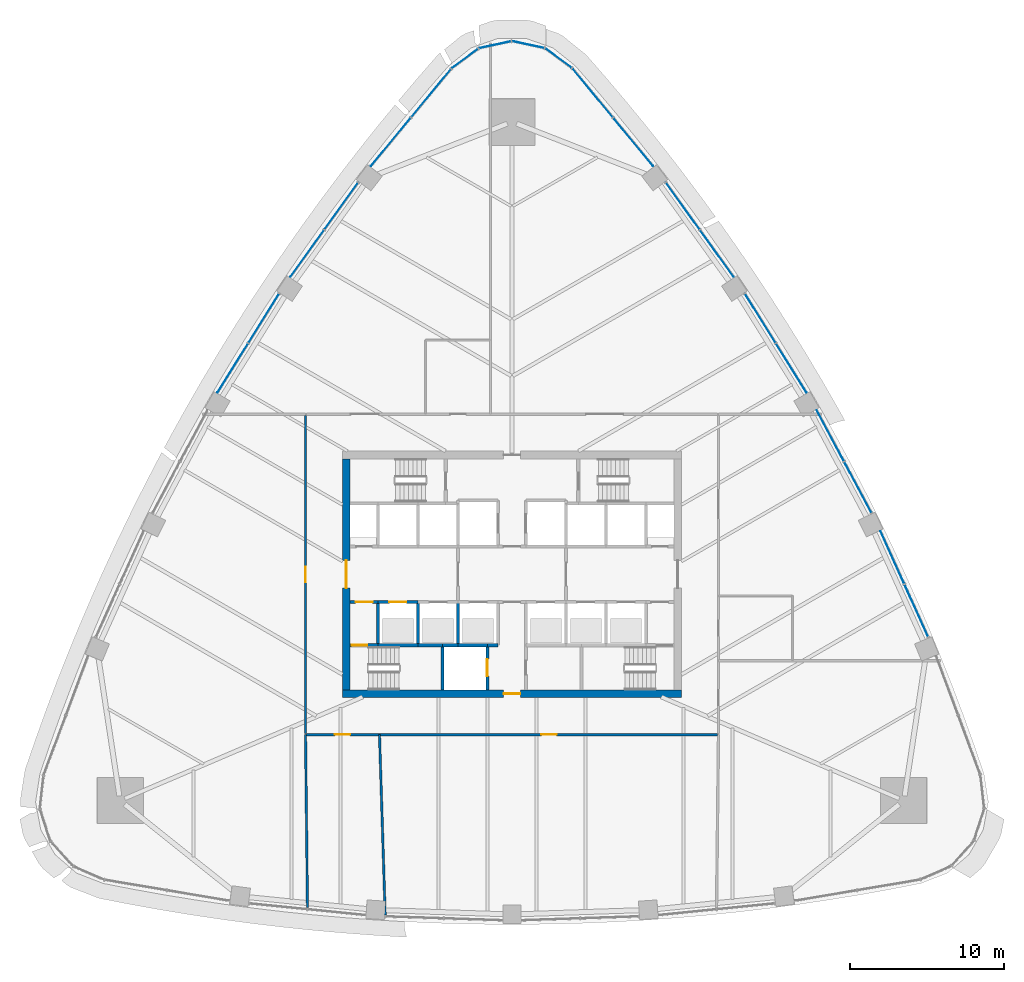
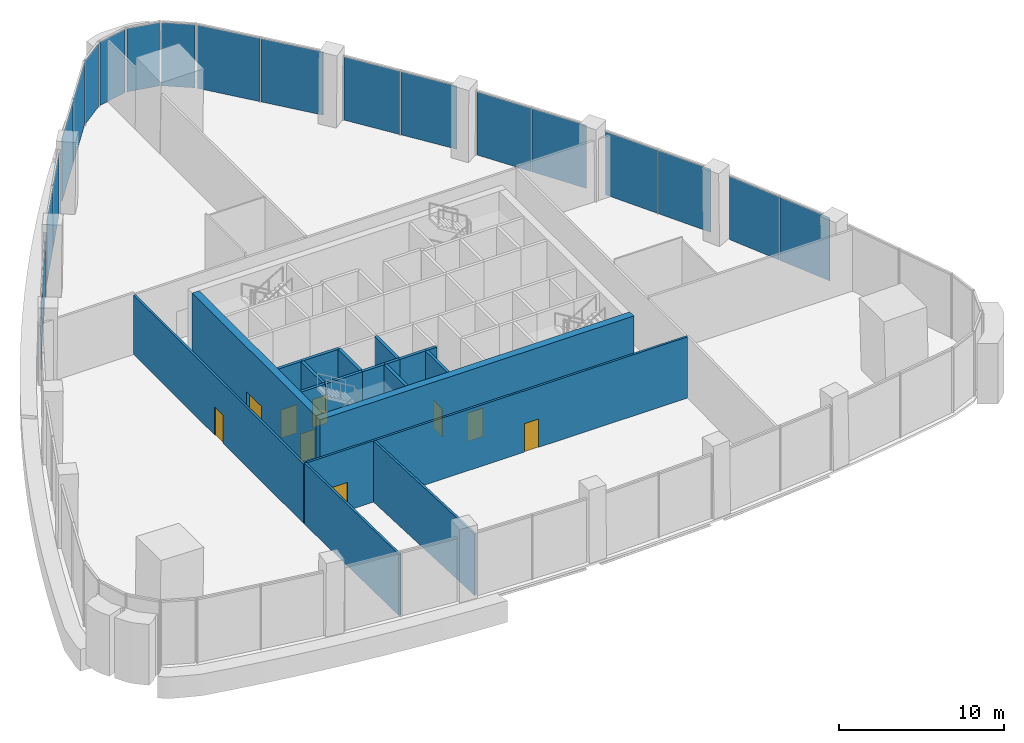
# One storey, part 9 of 16: 20 plates, 19 walls, 9 doors, 9 openings, 12 elements without a shape of their own.
"""IFC4 building model written with IfcOpenShell, lengths in metres."""

from ifc_helpers import new_model, si_unit, direction, frame, frame_2d, origin, origin_2d, place, context, subcontext, project, spatial, rectangle, extrude, material, layer, layer_set, type_object, element, fill, aggregate, save


model = new_model("IFC4")

# Units and contexts
model_context = context("Model", 3, precision=1e-05, world=origin(), true_north=direction((0.0, 1.0)))
body_context = subcontext(model_context, "Body", "Model", "MODEL_VIEW")
ifc_project = project(units=[si_unit("LENGTHUNIT", "METRE"), si_unit("AREAUNIT", "SQUARE_METRE"), si_unit("VOLUMEUNIT", "CUBIC_METRE"), si_unit("PLANEANGLEUNIT", "RADIAN"), si_unit("MASSUNIT", "GRAM", prefix="KILO")], contexts=[model_context])

# Site, building, storey
site_placement = place(None, origin())
site = spatial("IfcSite", under=ifc_project, at=site_placement, CompositionType="ELEMENT")
building_placement = place(site_placement, origin())
building = spatial("IfcBuilding", under=site, at=building_placement, Name="Sierra Prisma Convention Tower", CompositionType="ELEMENT")
storey_placement = place(building_placement, frame((0.0, 0.0, 107.199951171875)))
storey = spatial("IfcBuildingStorey", under=building, at=storey_placement, Name="L23", CompositionType="ELEMENT", Elevation=107.199951171875)

# Curtain wall, plates
ifc_material_1 = material(Name="Aluminium and glass curtain wall", Category="aluminium")
ifc_layer_1 = layer(ifc_material_1, 0.179931640625)
ifc_layer_set_1 = layer_set([ifc_layer_1], Name="CW-1 Plain shaft curtain wall")
curtain_wall_type = type_object("IfcCurtainWallType", Name="CW-1 Plain shaft curtain wall", PredefinedType="NOTDEFINED", material=ifc_layer_set_1)
curtain_wall_1_placement = place(storey_placement, origin())
curtain_wall_1 = element("IfcCurtainWall", 1, at=curtain_wall_1_placement, inside=storey, type_object=curtain_wall_type, Name="CW-1 NE2 L23", PredefinedType="NOTDEFINED")
ifc_material_2 = material(Name="Tinted glass bronze-grey IGU", Category="glass")
ifc_layer_2 = layer(ifc_material_2, 0.028076171875)
ifc_layer_set_2 = layer_set([ifc_layer_2], Name="CW-1 glass panel")
plate_type = type_object("IfcPlateType", Name="CW-1 glass panel", PredefinedType="CURTAIN_PANEL", material=ifc_layer_set_2)
plate_1_placement = place(storey_placement, frame((26.238037109375, -2.3525390625, 0.0), z_axis=(0.0, 0.0, 1.0), x_axis=(-0.411006370634, 0.911632471612, 0.0)))
plate_1 = element("IfcPlate", 2, at=plate_1_placement, type_object=plate_type, Name="CW-1 panel NE2.1", PredefinedType="CURTAIN_PANEL", context=body_context, shape_type="SweptSolid", body=[
    extrude(rectangle(XDim=3.713623046875, YDim=0.028076171875, at=origin_2d()), origin(), (0.0, 0.0, 1.0), 4.679931640625),
])
plate_2_placement = place(storey_placement, frame((24.682861328125, 1.0966796875, 0.0), z_axis=(0.0, 0.0, 1.0), x_axis=(-0.411006370634, 0.911632471612, 0.0)))
plate_2 = element("IfcPlate", 3, at=plate_2_placement, type_object=plate_type, Name="CW-1 panel NE2.2", PredefinedType="CURTAIN_PANEL", context=body_context, shape_type="SweptSolid", body=[
    extrude(rectangle(XDim=3.713623046875, YDim=0.028076171875, at=origin_2d()), origin(), (0.0, 0.0, 1.0), 4.679931640625),
])
aggregate(curtain_wall_1, [plate_1, plate_2])

curtain_wall_2_placement = place(storey_placement, origin())
curtain_wall_2 = element("IfcCurtainWall", 4, at=curtain_wall_2_placement, inside=storey, type_object=curtain_wall_type, Name="CW-1 NE3 L23", PredefinedType="NOTDEFINED")
plate_3_placement = place(storey_placement, frame((22.44482421875, 5.64794921875, 0.0), z_axis=(0.0, 0.0, 1.0), x_axis=(-0.470848003633, 0.882214348939, 0.0)))
plate_3 = element("IfcPlate", 5, at=plate_3_placement, type_object=plate_type, Name="CW-1 panel NE3.1", PredefinedType="CURTAIN_PANEL", context=body_context, shape_type="SweptSolid", body=[
    extrude(rectangle(XDim=3.729736328125, YDim=0.028076171875, at=origin_2d()), origin(), (0.0, 0.0, 1.0), 4.679931640625),
])
plate_4_placement = place(storey_placement, frame((20.655517578125, 9.0, 0.0), z_axis=(0.0, 0.0, 1.0), x_axis=(-0.470848003633, 0.882214348939, 0.0)))
plate_4 = element("IfcPlate", 6, at=plate_4_placement, type_object=plate_type, Name="CW-1 panel NE3.2", PredefinedType="CURTAIN_PANEL", context=body_context, shape_type="SweptSolid", body=[
    extrude(rectangle(XDim=3.729736328125, YDim=0.028076171875, at=origin_2d()), origin(), (0.0, 0.0, 1.0), 4.679931640625),
])
aggregate(curtain_wall_2, [plate_3, plate_4])

curtain_wall_3_placement = place(storey_placement, origin())
curtain_wall_3 = element("IfcCurtainWall", 7, at=curtain_wall_3_placement, inside=storey, type_object=curtain_wall_type, Name="CW-1 NE4 L23", PredefinedType="NOTDEFINED")
plate_5_placement = place(storey_placement, frame((18.1220703125, 13.38818359375, 0.0), z_axis=(0.0, 0.0, 1.0), x_axis=(-0.528596035948, 0.848873506937, 0.0)))
plate_5 = element("IfcPlate", 8, at=plate_5_placement, type_object=plate_type, Name="CW-1 panel NE4.1", PredefinedType="CURTAIN_PANEL", context=body_context, shape_type="SweptSolid", body=[
    extrude(rectangle(XDim=3.72998046875, YDim=0.028076171875, at=origin_2d()), origin(), (0.0, 0.0, 1.0), 4.679931640625),
])
plate_6_placement = place(storey_placement, frame((16.113525390625, 16.614013671875, 0.0), z_axis=(0.0, 0.0, 1.0), x_axis=(-0.528596035948, 0.848873506937, 0.0)))
plate_6 = element("IfcPlate", 9, at=plate_6_placement, type_object=plate_type, Name="CW-1 panel NE4.2", PredefinedType="CURTAIN_PANEL", context=body_context, shape_type="SweptSolid", body=[
    extrude(rectangle(XDim=3.72998046875, YDim=0.028076171875, at=origin_2d()), origin(), (0.0, 0.0, 1.0), 4.679931640625),
])
aggregate(curtain_wall_3, [plate_5, plate_6])

curtain_wall_4_placement = place(storey_placement, origin())
curtain_wall_4 = element("IfcCurtainWall", 10, at=curtain_wall_4_placement, inside=storey, type_object=curtain_wall_type, Name="CW-1 NE5 L23", PredefinedType="NOTDEFINED")
plate_7_placement = place(storey_placement, frame((13.291015625, 20.827880859375, 0.0), z_axis=(0.0, 0.0, 1.0), x_axis=(-0.583993694014, 0.811758193893, 0.0)))
plate_7 = element("IfcPlate", 11, at=plate_7_placement, type_object=plate_type, Name="CW-1 panel NE5.1", PredefinedType="CURTAIN_PANEL", context=body_context, shape_type="SweptSolid", body=[
    extrude(rectangle(XDim=3.714599609375, YDim=0.028076171875, at=origin_2d()), origin(), (0.0, 0.0, 1.0), 4.679931640625),
])
plate_8_placement = place(storey_placement, frame((11.080810546875, 23.89990234375, 0.0), z_axis=(0.0, 0.0, 1.0), x_axis=(-0.583993694014, 0.811758193893, 0.0)))
plate_8 = element("IfcPlate", 12, at=plate_8_placement, type_object=plate_type, Name="CW-1 panel NE5.2", PredefinedType="CURTAIN_PANEL", context=body_context, shape_type="SweptSolid", body=[
    extrude(rectangle(XDim=3.714599609375, YDim=0.028076171875, at=origin_2d()), origin(), (0.0, 0.0, 1.0), 4.679931640625),
])
aggregate(curtain_wall_4, [plate_7, plate_8])

curtain_wall_5_placement = place(storey_placement, origin())
curtain_wall_5 = element("IfcCurtainWall", 13, at=curtain_wall_5_placement, inside=storey, type_object=curtain_wall_type, Name="CW-1 NE6 L23", PredefinedType="NOTDEFINED")
plate_9_placement = place(storey_placement, frame((7.867919921875, 28.059326171875, 0.0), z_axis=(0.0, 0.0, 1.0), x_axis=(-0.636794655069, 0.771033441088, 0.0)))
plate_9 = element("IfcPlate", 14, at=plate_9_placement, type_object=plate_type, Name="CW-1 panel NE6.1", PredefinedType="CURTAIN_PANEL", context=body_context, shape_type="SweptSolid", body=[
    extrude(rectangle(XDim=4.0361328125, YDim=0.028076171875, at=origin_2d()), origin(), (0.0, 0.0, 1.0), 4.679931640625),
])
plate_10_placement = place(storey_placement, frame((5.253173828125, 31.225341796875, 0.0), z_axis=(0.0, 0.0, 1.0), x_axis=(-0.636794655069, 0.771033441088, 0.0)))
plate_10 = element("IfcPlate", 15, at=plate_10_placement, type_object=plate_type, Name="CW-1 panel NE6.2", PredefinedType="CURTAIN_PANEL", context=body_context, shape_type="SweptSolid", body=[
    extrude(rectangle(XDim=4.0361328125, YDim=0.028076171875, at=origin_2d()), origin(), (0.0, 0.0, 1.0), 4.679931640625),
])
aggregate(curtain_wall_5, [plate_9, plate_10])

# Curtain wall, plate
curtain_wall_6_placement = place(storey_placement, origin())
curtain_wall_6 = element("IfcCurtainWall", 16, at=curtain_wall_6_placement, inside=storey, type_object=curtain_wall_type, Name="CW-1 N1 L23", PredefinedType="NOTDEFINED")
plate_11_placement = place(storey_placement, frame((3.03759765625, 33.48828125, 0.0), z_axis=(0.0, 0.0, 1.0), x_axis=(-0.80487200873, 0.593448438841, 0.0)))
plate_11 = element("IfcPlate", 17, at=plate_11_placement, type_object=plate_type, Name="CW-1 panel N1.1", PredefinedType="CURTAIN_PANEL", context=body_context, shape_type="SweptSolid", body=[
    extrude(rectangle(XDim=2.06103515625, YDim=0.028076171875, at=origin_2d()), origin(), (0.0, 0.0, 1.0), 4.679931640625),
])
aggregate(curtain_wall_6, [plate_11])

curtain_wall_7_placement = place(storey_placement, origin())
curtain_wall_7 = element("IfcCurtainWall", 18, at=curtain_wall_7_placement, inside=storey, type_object=curtain_wall_type, Name="CW-1 N2 L23", PredefinedType="NOTDEFINED")
plate_12_placement = place(storey_placement, frame((1.075927734375, 34.372802734375, 0.0), z_axis=(0.0, 0.0, 1.0), x_axis=(-0.977658547657, 0.210199343942, 0.0)))
plate_12 = element("IfcPlate", 19, at=plate_12_placement, type_object=plate_type, Name="CW-1 panel N2.1", PredefinedType="CURTAIN_PANEL", context=body_context, shape_type="SweptSolid", body=[
    extrude(rectangle(XDim=2.06103515625, YDim=0.028076171875, at=origin_2d()), origin(), (0.0, 0.0, 1.0), 4.679931640625),
])
aggregate(curtain_wall_7, [plate_12])

curtain_wall_8_placement = place(storey_placement, origin())
curtain_wall_8 = element("IfcCurtainWall", 20, at=curtain_wall_8_placement, inside=storey, type_object=curtain_wall_type, Name="CW-1 N3 L23", PredefinedType="NOTDEFINED")
plate_13_placement = place(storey_placement, frame((-1.075927734375, 34.372802734375, 0.0), z_axis=(0.0, 0.0, 1.0), x_axis=(-0.977658547657, -0.210199343942, 0.0)))
plate_13 = element("IfcPlate", 21, at=plate_13_placement, type_object=plate_type, Name="CW-1 panel N3.1", PredefinedType="CURTAIN_PANEL", context=body_context, shape_type="SweptSolid", body=[
    extrude(rectangle(XDim=2.06103515625, YDim=0.028076171875, at=origin_2d()), origin(), (0.0, 0.0, 1.0), 4.679931640625),
])
aggregate(curtain_wall_8, [plate_13])

curtain_wall_9_placement = place(storey_placement, origin())
curtain_wall_9 = element("IfcCurtainWall", 22, at=curtain_wall_9_placement, inside=storey, type_object=curtain_wall_type, Name="CW-1 N4 L23", PredefinedType="NOTDEFINED")
plate_14_placement = place(storey_placement, frame((-3.03759765625, 33.48828125, 0.0), z_axis=(0.0, 0.0, 1.0), x_axis=(-0.80487200873, -0.593448438841, 0.0)))
plate_14 = element("IfcPlate", 23, at=plate_14_placement, type_object=plate_type, Name="CW-1 panel N4.1", PredefinedType="CURTAIN_PANEL", context=body_context, shape_type="SweptSolid", body=[
    extrude(rectangle(XDim=2.06103515625, YDim=0.028076171875, at=origin_2d()), origin(), (0.0, 0.0, 1.0), 4.679931640625),
])
aggregate(curtain_wall_9, [plate_14])

# Curtain wall, plates
curtain_wall_10_placement = place(storey_placement, origin())
curtain_wall_10 = element("IfcCurtainWall", 24, at=curtain_wall_10_placement, inside=storey, type_object=curtain_wall_type, Name="CW-1 NW1 L23", PredefinedType="NOTDEFINED")
plate_15_placement = place(storey_placement, frame((-5.253173828125, 31.225341796875, 0.0), z_axis=(0.0, 0.0, 1.0), x_axis=(-0.636794655069, -0.771033441088, 0.0)))
plate_15 = element("IfcPlate", 25, at=plate_15_placement, type_object=plate_type, Name="CW-1 panel NW1.1", PredefinedType="CURTAIN_PANEL", context=body_context, shape_type="SweptSolid", body=[
    extrude(rectangle(XDim=4.0361328125, YDim=0.028076171875, at=origin_2d()), origin(), (0.0, 0.0, 1.0), 4.679931640625),
])
plate_16_placement = place(storey_placement, frame((-7.867919921875, 28.059326171875, 0.0), z_axis=(0.0, 0.0, 1.0), x_axis=(-0.636794655069, -0.771033441088, 0.0)))
plate_16 = element("IfcPlate", 26, at=plate_16_placement, type_object=plate_type, Name="CW-1 panel NW1.2", PredefinedType="CURTAIN_PANEL", context=body_context, shape_type="SweptSolid", body=[
    extrude(rectangle(XDim=4.0361328125, YDim=0.028076171875, at=origin_2d()), origin(), (0.0, 0.0, 1.0), 4.679931640625),
])
aggregate(curtain_wall_10, [plate_15, plate_16])

curtain_wall_11_placement = place(storey_placement, origin())
curtain_wall_11 = element("IfcCurtainWall", 27, at=curtain_wall_11_placement, inside=storey, type_object=curtain_wall_type, Name="CW-1 NW2 L23", PredefinedType="NOTDEFINED")
plate_17_placement = place(storey_placement, frame((-11.081787109375, 23.89892578125, 0.0), z_axis=(0.0, 0.0, 1.0), x_axis=(-0.583993694014, -0.811758193893, 0.0)))
plate_17 = element("IfcPlate", 28, at=plate_17_placement, type_object=plate_type, Name="CW-1 panel NW2.1", PredefinedType="CURTAIN_PANEL", context=body_context, shape_type="SweptSolid", body=[
    extrude(rectangle(XDim=3.713623046875, YDim=0.028076171875, at=origin_2d()), origin(), (0.0, 0.0, 1.0), 4.679931640625),
])
plate_18_placement = place(storey_placement, frame((-13.291259765625, 20.82763671875, 0.0), z_axis=(0.0, 0.0, 1.0), x_axis=(-0.583993694014, -0.811758193893, 0.0)))
plate_18 = element("IfcPlate", 29, at=plate_18_placement, type_object=plate_type, Name="CW-1 panel NW2.2", PredefinedType="CURTAIN_PANEL", context=body_context, shape_type="SweptSolid", body=[
    extrude(rectangle(XDim=3.713623046875, YDim=0.028076171875, at=origin_2d()), origin(), (0.0, 0.0, 1.0), 4.679931640625),
])
aggregate(curtain_wall_11, [plate_17, plate_18])

curtain_wall_12_placement = place(storey_placement, origin())
curtain_wall_12 = element("IfcCurtainWall", 30, at=curtain_wall_12_placement, inside=storey, type_object=curtain_wall_type, Name="CW-1 NW3 L23", PredefinedType="NOTDEFINED")
plate_19_placement = place(storey_placement, frame((-16.113525390625, 16.61376953125, 0.0), z_axis=(0.0, 0.0, 1.0), x_axis=(-0.528596035948, -0.848873506937, 0.0)))
plate_19 = element("IfcPlate", 31, at=plate_19_placement, type_object=plate_type, Name="CW-1 panel NW3.1", PredefinedType="CURTAIN_PANEL", context=body_context, shape_type="SweptSolid", body=[
    extrude(rectangle(XDim=3.729736328125, YDim=0.028076171875, at=origin_2d()), origin(), (0.0, 0.0, 1.0), 4.679931640625),
])
plate_20_placement = place(storey_placement, frame((-18.1220703125, 13.38818359375, 0.0), z_axis=(0.0, 0.0, 1.0), x_axis=(-0.528596035948, -0.848873506937, 0.0)))
plate_20 = element("IfcPlate", 32, at=plate_20_placement, type_object=plate_type, Name="CW-1 panel NW3.2", PredefinedType="CURTAIN_PANEL", context=body_context, shape_type="SweptSolid", body=[
    extrude(rectangle(XDim=3.729736328125, YDim=0.028076171875, at=origin_2d()), origin(), (0.0, 0.0, 1.0), 4.679931640625),
])
aggregate(curtain_wall_12, [plate_19, plate_20])

# Wall, opening, door
ifc_material_3 = material(Name="Concrete C30/37", Category="concrete")
ifc_layer_3 = layer(ifc_material_3, 0.199951171875)
ifc_layer_set_3 = layer_set([ifc_layer_3], Name="Core wall RC 200 C30/37")
wall_type_1 = type_object("IfcWallType", Name="Core wall RC 200 C30/37", PredefinedType="SOLIDWALL", material=ifc_layer_set_3)
wall_1_placement = place(storey_placement, frame((-10.5, -4.60009765625, 0.0), z_axis=(0.0, 0.0, 1.0), x_axis=(1.0, 0.0, 0.0)))
wall_1 = element("IfcWall", 33, at=wall_1_placement, inside=storey, type_object=wall_type_1, Name="Core wall L23 1", PredefinedType="SOLIDWALL", context=body_context, shape_type="SweptSolid", body=[
    extrude(rectangle(XDim=1.800048828125, YDim=0.199951171875, at=frame_2d((0.89990234375, 0.0))), origin(), (0.0, 0.0, 1.0), 5.25),
])
opening_1_placement = place(wall_1_placement, frame((0.10009765625, 0.0, 0.0)))
opening_1 = element("IfcOpeningElement", 34, at=opening_1_placement, cuts=wall_1, Name="Opening L23-D018", PredefinedType="OPENING", context=body_context, shape_type="SweptSolid", body=[
    extrude(rectangle(XDim=1.0, YDim=2.10009765625, at=frame_2d((0.5, 1.050048828125))), frame((0.0, 0.10009765625, 0.0), z_axis=(0.0, -1.0, 0.0), x_axis=(1.0, 0.0, 0.0)), (0.0, 0.0, 1.0), 0.199951171875),
])
ifc_material_4 = material(Name="Steel fire door leaf", Category="steel")
door_type_1 = type_object("IfcDoorType", Name="Door 1000x2100 FD90S", OperationType="SINGLE_SWING_LEFT", PredefinedType="DOOR", material=ifc_material_4)
door_1_placement = place(opening_1_placement, origin())
door_1 = element("IfcDoor", 35, at=door_1_placement, inside=storey, type_object=door_type_1, Name="Door L23 27", OperationType="SINGLE_SWING_LEFT", OverallHeight=2.10009765625, OverallWidth=1.0, PredefinedType="DOOR", context=body_context, shape_type="SweptSolid", body=[
    extrude(rectangle(XDim=1.0, YDim=2.10009765625, at=frame_2d((0.5, 1.050048828125))), frame((0.0, 0.02490234375, 0.0), z_axis=(0.0, -1.0, 0.0), x_axis=(1.0, 0.0, 0.0)), (0.0, 0.0, 1.0), 0.050048828125),
])
fill(opening_1, door_1)

wall_2_placement = place(storey_placement, frame((-10.5, -1.800048828125, 0.0), z_axis=(0.0, 0.0, 1.0), x_axis=(1.0, 0.0, 0.0)))
wall_2 = element("IfcWall", 36, at=wall_2_placement, inside=storey, type_object=wall_type_1, Name="Core wall L23 2", PredefinedType="SOLIDWALL", context=body_context, shape_type="SweptSolid", body=[
    extrude(rectangle(XDim=1.800048828125, YDim=0.199951171875, at=frame_2d((0.89990234375, 0.0))), origin(), (0.0, 0.0, 1.0), 5.25),
])
opening_2_placement = place(wall_2_placement, frame((0.35009765625, 0.0, 0.0)))
opening_2 = element("IfcOpeningElement", 37, at=opening_2_placement, cuts=wall_2, Name="Opening L23-D012", PredefinedType="OPENING", context=body_context, shape_type="SweptSolid", body=[
    extrude(rectangle(XDim=1.10009765625, YDim=2.10009765625, at=frame_2d((0.550048828125, 1.050048828125))), frame((0.0, 0.10009765625, 0.0), z_axis=(0.0, -1.0, 0.0), x_axis=(1.0, 0.0, 0.0)), (0.0, 0.0, 1.0), 0.199951171875),
])
ifc_material_5 = material(Name="Steel fire door leaf", Category="steel")
door_type_2 = type_object("IfcDoorType", Name="Door 1100x2100 FD90S", OperationType="SINGLE_SWING_LEFT", PredefinedType="DOOR", material=ifc_material_5)
door_2_placement = place(opening_2_placement, origin())
door_2 = element("IfcDoor", 38, at=door_2_placement, inside=storey, type_object=door_type_2, Name="Door L23 21", OperationType="SINGLE_SWING_LEFT", OverallHeight=2.10009765625, OverallWidth=1.10009765625, PredefinedType="DOOR", context=body_context, shape_type="SweptSolid", body=[
    extrude(rectangle(XDim=1.10009765625, YDim=2.10009765625, at=frame_2d((0.550048828125, 1.050048828125))), frame((0.0, 0.02490234375, 0.0), z_axis=(0.0, -1.0, 0.0), x_axis=(1.0, 0.0, 0.0)), (0.0, 0.0, 1.0), 0.050048828125),
])
fill(opening_2, door_2)

# Walls
wall_3_placement = place(storey_placement, frame((-8.699951171875, -4.60009765625, 0.0), z_axis=(0.0, 0.0, 1.0), x_axis=(1.0, 0.0, 0.0)))
element("IfcWall", 39, at=wall_3_placement, inside=storey, type_object=wall_type_1, Name="Core wall L23 5", PredefinedType="SOLIDWALL", context=body_context, shape_type="SweptSolid", body=[
    extrude(rectangle(XDim=2.599853515625, YDim=0.199951171875, at=frame_2d((1.2998046875, 0.0))), origin(), (0.0, 0.0, 1.0), 5.25),
])
wall_4_placement = place(storey_placement, frame((-8.699951171875, -4.60009765625, 0.0), z_axis=(0.0, 0.0, 1.0), x_axis=(0.0, 1.0, 0.0)))
element("IfcWall", 40, at=wall_4_placement, inside=storey, type_object=wall_type_1, Name="Core wall L23 6", PredefinedType="SOLIDWALL", context=body_context, shape_type="SweptSolid", body=[
    extrude(rectangle(XDim=2.800048828125, YDim=0.199951171875, at=frame_2d((1.39990234375, 0.0))), origin(), (0.0, 0.0, 1.0), 5.25),
])

# Wall, opening, door
wall_5_placement = place(storey_placement, frame((-8.699951171875, -1.800048828125, 0.0), z_axis=(0.0, 0.0, 1.0), x_axis=(1.0, 0.0, 0.0)))
wall_5 = element("IfcWall", 41, at=wall_5_placement, inside=storey, type_object=wall_type_1, Name="Core wall L23 7", PredefinedType="SOLIDWALL", context=body_context, shape_type="SweptSolid", body=[
    extrude(rectangle(XDim=2.599853515625, YDim=0.199951171875, at=frame_2d((1.2998046875, 0.0))), origin(), (0.0, 0.0, 1.0), 5.25),
])
opening_3_placement = place(wall_5_placement, frame((0.75, 0.0, 0.0)))
opening_3 = element("IfcOpeningElement", 42, at=opening_3_placement, cuts=wall_5, Name="Opening L23-D001", PredefinedType="OPENING", context=body_context, shape_type="SweptSolid", body=[
    extrude(rectangle(XDim=1.10009765625, YDim=2.10009765625, at=frame_2d((0.550048828125, 1.050048828125))), frame((0.0, 0.10009765625, 0.0), z_axis=(0.0, -1.0, 0.0), x_axis=(1.0, 0.0, 0.0)), (0.0, 0.0, 1.0), 0.199951171875),
])
ifc_material_6 = material(Name="Steel fire door leaf", Category="steel")
door_type_3 = type_object("IfcDoorType", Name="Door 1100x2100 EI 90 sliding lift landing", OperationType="SLIDING_TO_LEFT", PredefinedType="DOOR", material=ifc_material_6)
door_3_placement = place(opening_3_placement, origin())
door_3 = element("IfcDoor", 43, at=door_3_placement, inside=storey, type_object=door_type_3, Name="Door L23 10", OperationType="SLIDING_TO_LEFT", OverallHeight=2.10009765625, OverallWidth=1.10009765625, PredefinedType="DOOR", context=body_context, shape_type="SweptSolid", body=[
    extrude(rectangle(XDim=1.10009765625, YDim=2.10009765625, at=frame_2d((0.550048828125, 1.050048828125))), frame((0.0, 0.02490234375, 0.0), z_axis=(0.0, -1.0, 0.0), x_axis=(1.0, 0.0, 0.0)), (0.0, 0.0, 1.0), 0.050048828125),
])
fill(opening_3, door_3)

# Walls
wall_6_placement = place(storey_placement, frame((-6.10009765625, -4.60009765625, 0.0), z_axis=(0.0, 0.0, 1.0), x_axis=(1.0, 0.0, 0.0)))
element("IfcWall", 44, at=wall_6_placement, inside=storey, type_object=wall_type_1, Name="Core wall L23 11", PredefinedType="SOLIDWALL", context=body_context, shape_type="SweptSolid", body=[
    extrude(rectangle(XDim=1.60009765625, YDim=0.199951171875, at=frame_2d((0.800048828125, 0.0))), origin(), (0.0, 0.0, 1.0), 5.25),
])
wall_7_placement = place(storey_placement, frame((-6.10009765625, -4.60009765625, 0.0), z_axis=(0.0, 0.0, 1.0), x_axis=(0.0, 1.0, 0.0)))
element("IfcWall", 45, at=wall_7_placement, inside=storey, type_object=wall_type_1, Name="Core wall L23 12", PredefinedType="SOLIDWALL", context=body_context, shape_type="SweptSolid", body=[
    extrude(rectangle(XDim=2.800048828125, YDim=0.199951171875, at=frame_2d((1.39990234375, 0.0))), origin(), (0.0, 0.0, 1.0), 5.25),
])
wall_8_placement = place(storey_placement, frame((-4.5, -4.60009765625, 0.0), z_axis=(0.0, 0.0, 1.0), x_axis=(0.0, -1.0, 0.0)))
element("IfcWall", 46, at=wall_8_placement, inside=storey, type_object=wall_type_1, Name="Core wall L23 17", PredefinedType="SOLIDWALL", context=body_context, shape_type="SweptSolid", body=[
    extrude(rectangle(XDim=2.89990234375, YDim=0.199951171875, at=frame_2d((1.449951171875, 0.0))), origin(), (0.0, 0.0, 1.0), 5.25),
])
wall_9_placement = place(storey_placement, frame((-4.5, -4.60009765625, 0.0), z_axis=(0.0, 0.0, 1.0), x_axis=(1.0, 0.0, 0.0)))
element("IfcWall", 47, at=wall_9_placement, inside=storey, type_object=wall_type_1, Name="Core wall L23 18", PredefinedType="SOLIDWALL", context=body_context, shape_type="SweptSolid", body=[
    extrude(rectangle(XDim=1.0, YDim=0.199951171875, at=frame_2d((0.5, 0.0))), origin(), (0.0, 0.0, 1.0), 5.25),
])
wall_10_placement = place(storey_placement, frame((-3.5, -4.60009765625, 0.0), z_axis=(0.0, 0.0, 1.0), x_axis=(1.0, 0.0, 0.0)))
element("IfcWall", 48, at=wall_10_placement, inside=storey, type_object=wall_type_1, Name="Core wall L23 21", PredefinedType="SOLIDWALL", context=body_context, shape_type="SweptSolid", body=[
    extrude(rectangle(XDim=1.89990234375, YDim=0.199951171875, at=frame_2d((0.949951171875, 0.0))), origin(), (0.0, 0.0, 1.0), 5.25),
])
wall_11_placement = place(storey_placement, frame((-3.5, -4.60009765625, 0.0), z_axis=(0.0, 0.0, 1.0), x_axis=(0.0, 1.0, 0.0)))
element("IfcWall", 49, at=wall_11_placement, inside=storey, type_object=wall_type_1, Name="Core wall L23 22", PredefinedType="SOLIDWALL", context=body_context, shape_type="SweptSolid", body=[
    extrude(rectangle(XDim=2.800048828125, YDim=0.199951171875, at=frame_2d((1.39990234375, 0.0))), origin(), (0.0, 0.0, 1.0), 5.25),
])

# Wall, opening, door
wall_12_placement = place(storey_placement, frame((-1.60009765625, -7.5, 0.0), z_axis=(0.0, 0.0, 1.0), x_axis=(0.0, 1.0, 0.0)))
wall_12 = element("IfcWall", 50, at=wall_12_placement, inside=storey, type_object=wall_type_1, Name="Core wall L23 30", PredefinedType="SOLIDWALL", context=body_context, shape_type="SweptSolid", body=[
    extrude(rectangle(XDim=2.89990234375, YDim=0.199951171875, at=frame_2d((1.449951171875, 0.0))), origin(), (0.0, 0.0, 1.0), 5.25),
])
opening_4_placement = place(wall_12_placement, frame((0.89990234375, 0.0, 0.0)))
opening_4 = element("IfcOpeningElement", 51, at=opening_4_placement, cuts=wall_12, Name="Opening L23-D009", PredefinedType="OPENING", context=body_context, shape_type="SweptSolid", body=[
    extrude(rectangle(XDim=1.10009765625, YDim=2.10009765625, at=frame_2d((0.550048828125, 1.050048828125))), frame((0.0, 0.10009765625, 0.0), z_axis=(0.0, -1.0, 0.0), x_axis=(1.0, 0.0, 0.0)), (0.0, 0.0, 1.0), 0.199951171875),
])
door_4_placement = place(opening_4_placement, origin())
door_4 = element("IfcDoor", 52, at=door_4_placement, inside=storey, type_object=door_type_3, Name="Door L23 18", OperationType="SLIDING_TO_RIGHT", OverallHeight=2.10009765625, OverallWidth=1.10009765625, PredefinedType="DOOR", context=body_context, shape_type="SweptSolid", body=[
    extrude(rectangle(XDim=1.10009765625, YDim=2.10009765625, at=frame_2d((0.550048828125, 1.050048828125))), frame((0.0, 0.02490234375, 0.0), z_axis=(0.0, -1.0, 0.0), x_axis=(1.0, 0.0, 0.0)), (0.0, 0.0, 1.0), 0.050048828125),
])
fill(opening_4, door_4)

# Wall
wall_13_placement = place(storey_placement, frame((-1.60009765625, -4.60009765625, 0.0), z_axis=(0.0, 0.0, 1.0), x_axis=(1.0, 0.0, 0.0)))
element("IfcWall", 53, at=wall_13_placement, inside=storey, type_object=wall_type_1, Name="Core wall L23 31", PredefinedType="SOLIDWALL", context=body_context, shape_type="SweptSolid", body=[
    extrude(rectangle(XDim=0.7001953125, YDim=0.199951171875, at=frame_2d((0.35009765625, 0.0))), origin(), (0.0, 0.0, 1.0), 5.25),
])

# Wall, opening, door
ifc_material_7 = material(Name="Concrete C60/75", Category="concrete")
ifc_layer_4 = layer(ifc_material_7, 0.5)
ifc_layer_set_4 = layer_set([ifc_layer_4], Name="Core wall RC 500 C60/75")
wall_type_2 = type_object("IfcWallType", Name="Core wall RC 500 C60/75", PredefinedType="SHEAR", material=ifc_layer_set_4)
wall_14_placement = place(storey_placement, frame((-11.0, -7.75, 0.0), z_axis=(0.0, 0.0, 1.0), x_axis=(1.0, 0.0, 0.0)))
wall_14 = element("IfcWall", 54, at=wall_14_placement, inside=storey, type_object=wall_type_2, Name="Core wall S L23", PredefinedType="SHEAR", context=body_context, shape_type="SweptSolid", body=[
    extrude(rectangle(XDim=22.0, YDim=0.5, at=frame_2d((11.0, 0.0))), origin(), (0.0, 0.0, 1.0), 5.400146484375),
])
opening_5_placement = place(wall_14_placement, frame((10.449951171875, 0.0, 0.0)))
opening_5 = element("IfcOpeningElement", 55, at=opening_5_placement, cuts=wall_14, Name="Opening L23-D034", PredefinedType="OPENING", context=body_context, shape_type="SweptSolid", body=[
    extrude(rectangle(XDim=1.10009765625, YDim=2.10009765625, at=frame_2d((0.550048828125, 1.050048828125))), frame((0.0, 0.25, 0.0), z_axis=(0.0, -1.0, 0.0), x_axis=(1.0, 0.0, 0.0)), (0.0, 0.0, 1.0), 0.5),
])
ifc_material_8 = material(Name="Steel fire door leaf", Category="steel")
door_type_4 = type_object("IfcDoorType", Name="Door 1100x2100 FD30S", OperationType="SINGLE_SWING_LEFT", PredefinedType="DOOR", material=ifc_material_8)
door_5_placement = place(opening_5_placement, origin())
door_5 = element("IfcDoor", 56, at=door_5_placement, inside=storey, type_object=door_type_4, Name="Door L23 35", OperationType="SINGLE_SWING_RIGHT", OverallHeight=2.10009765625, OverallWidth=1.10009765625, PredefinedType="DOOR", context=body_context, shape_type="SweptSolid", body=[
    extrude(rectangle(XDim=1.10009765625, YDim=2.10009765625, at=frame_2d((0.550048828125, 1.050048828125))), frame((0.0, 0.02490234375, 0.0), z_axis=(0.0, -1.0, 0.0), x_axis=(1.0, 0.0, 0.0)), (0.0, 0.0, 1.0), 0.050048828125),
])
fill(opening_5, door_5)

wall_15_placement = place(storey_placement, frame((-10.75, -7.5, 0.0), z_axis=(0.0, 0.0, 1.0), x_axis=(0.0, 1.0, 0.0)))
wall_15 = element("IfcWall", 57, at=wall_15_placement, inside=storey, type_object=wall_type_2, Name="Core wall W L23", PredefinedType="SHEAR", context=body_context, shape_type="SweptSolid", body=[
    extrude(rectangle(XDim=15.0, YDim=0.5, at=frame_2d((7.5, 0.0))), origin(), (0.0, 0.0, 1.0), 5.400146484375),
])
opening_6_placement = place(wall_15_placement, frame((6.60009765625, 0.0, 0.0)))
opening_6 = element("IfcOpeningElement", 58, at=opening_6_placement, cuts=wall_15, Name="Opening L23-D035", PredefinedType="OPENING", context=body_context, shape_type="SweptSolid", body=[
    extrude(rectangle(XDim=1.800048828125, YDim=2.10009765625, at=frame_2d((0.89990234375, 1.050048828125))), frame((0.0, 0.25, 0.0), z_axis=(0.0, -1.0, 0.0), x_axis=(1.0, 0.0, 0.0)), (0.0, 0.0, 1.0), 0.5),
])
ifc_material_9 = material(Name="Steel fire door leaf", Category="steel")
door_type_5 = type_object("IfcDoorType", Name="Door 1800x2100 FD60S", OperationType="DOUBLE_DOOR_SINGLE_SWING", PredefinedType="DOOR", material=ifc_material_9)
door_6_placement = place(opening_6_placement, origin())
door_6 = element("IfcDoor", 59, at=door_6_placement, inside=storey, type_object=door_type_5, Name="Door L23 32", OperationType="DOUBLE_DOOR_SINGLE_SWING", OverallHeight=2.10009765625, OverallWidth=1.800048828125, PredefinedType="DOOR", context=body_context, shape_type="SweptSolid", body=[
    extrude(rectangle(XDim=1.800048828125, YDim=2.10009765625, at=frame_2d((0.89990234375, 1.050048828125))), frame((0.0, 0.02490234375, 0.0), z_axis=(0.0, -1.0, 0.0), x_axis=(1.0, 0.0, 0.0)), (0.0, 0.0, 1.0), 0.050048828125),
])
fill(opening_6, door_6)

ifc_material_10 = material(Name="Gypsum board partition", Category="gypsum")
ifc_layer_5 = layer(ifc_material_10, 0.14990234375)
ifc_layer_set_5 = layer_set([ifc_layer_5], Name="Corridor wall 150 gypsum EI 60")
wall_type_3 = type_object("IfcWallType", Name="Corridor wall 150 gypsum EI 60", PredefinedType="PARTITIONING", material=ifc_layer_set_5)
wall_16_placement = place(storey_placement, frame((-13.39990234375, 10.320068359375, 0.0), z_axis=(0.0, 0.0, 1.0), x_axis=(0.0, -1.0, 0.0)))
wall_16 = element("IfcWall", 60, at=wall_16_placement, inside=storey, type_object=wall_type_3, Name="Partition L23 corr 1", PredefinedType="PARTITIONING", context=body_context, shape_type="SweptSolid", body=[
    extrude(rectangle(XDim=20.64013671875, YDim=0.14990234375, at=frame_2d((10.320068359375, 0.0))), origin(), (0.0, 0.0, 1.0), 4.39697265625),
])
opening_7_placement = place(wall_16_placement, frame((9.830078125, 0.0, 0.0)))
opening_7 = element("IfcOpeningElement", 61, at=opening_7_placement, cuts=wall_16, Name="Opening L23-D028", PredefinedType="OPENING", context=body_context, shape_type="SweptSolid", body=[
    extrude(rectangle(XDim=1.0, YDim=2.10009765625, at=frame_2d((0.5, 1.050048828125))), frame((0.0, 0.074951171875, 0.0), z_axis=(0.0, -1.0, 0.0), x_axis=(1.0, 0.0, 0.0)), (0.0, 0.0, 1.0), 0.14990234375),
])
ifc_material_11 = material(Name="Steel fire door leaf", Category="steel")
door_type_6 = type_object("IfcDoorType", Name="Door 1000x2100 FD30S", OperationType="SINGLE_SWING_LEFT", PredefinedType="DOOR", material=ifc_material_11)
door_7_placement = place(opening_7_placement, origin())
door_7 = element("IfcDoor", 62, at=door_7_placement, inside=storey, type_object=door_type_6, Name="Door L23 6", OperationType="SINGLE_SWING_RIGHT", OverallHeight=2.10009765625, OverallWidth=1.0, PredefinedType="DOOR", context=body_context, shape_type="SweptSolid", body=[
    extrude(rectangle(XDim=1.0, YDim=2.10009765625, at=frame_2d((0.5, 1.050048828125))), frame((0.0, 0.02490234375, 0.0), z_axis=(0.0, -1.0, 0.0), x_axis=(1.0, 0.0, 0.0)), (0.0, 0.0, 1.0), 0.050048828125),
])
fill(opening_7, door_7)

# Wall, openings, doors
wall_17_placement = place(storey_placement, frame((-13.320068359375, -10.39990234375, 0.0), z_axis=(0.0, 0.0, 1.0), x_axis=(1.0, 0.0, 0.0)))
wall_17 = element("IfcWall", 63, at=wall_17_placement, inside=storey, type_object=wall_type_3, Name="Partition L23 corr 2", PredefinedType="PARTITIONING", context=body_context, shape_type="SweptSolid", body=[
    extrude(rectangle(XDim=26.64013671875, YDim=0.14990234375, at=frame_2d((13.320068359375, 0.0))), origin(), (0.0, 0.0, 1.0), 4.5380859375),
])
opening_8_placement = place(wall_17_placement, frame((1.820068359375, 0.0, 0.0)))
opening_8 = element("IfcOpeningElement", 64, at=opening_8_placement, cuts=wall_17, Name="Opening L23-D029", PredefinedType="OPENING", context=body_context, shape_type="SweptSolid", body=[
    extrude(rectangle(XDim=1.0, YDim=2.10009765625, at=frame_2d((0.5, 1.050048828125))), frame((0.0, 0.074951171875, 0.0), z_axis=(0.0, -1.0, 0.0), x_axis=(1.0, 0.0, 0.0)), (0.0, 0.0, 1.0), 0.14990234375),
])
opening_9_placement = place(wall_17_placement, frame((15.219970703125, 0.0, 0.0)))
opening_9 = element("IfcOpeningElement", 65, at=opening_9_placement, cuts=wall_17, Name="Opening L23-D030", PredefinedType="OPENING", context=body_context, shape_type="SweptSolid", body=[
    extrude(rectangle(XDim=1.0, YDim=2.10009765625, at=frame_2d((0.5, 1.050048828125))), frame((0.0, 0.074951171875, 0.0), z_axis=(0.0, -1.0, 0.0), x_axis=(1.0, 0.0, 0.0)), (0.0, 0.0, 1.0), 0.14990234375),
])
door_8_placement = place(opening_8_placement, origin())
door_8 = element("IfcDoor", 66, at=door_8_placement, inside=storey, type_object=door_type_6, Name="Door L23 7", OperationType="SINGLE_SWING_LEFT", OverallHeight=2.10009765625, OverallWidth=1.0, PredefinedType="DOOR", context=body_context, shape_type="SweptSolid", body=[
    extrude(rectangle(XDim=1.0, YDim=2.10009765625, at=frame_2d((0.5, 1.050048828125))), frame((0.0, 0.02490234375, 0.0), z_axis=(0.0, -1.0, 0.0), x_axis=(1.0, 0.0, 0.0)), (0.0, 0.0, 1.0), 0.050048828125),
])
fill(opening_8, door_8)
door_9_placement = place(opening_9_placement, origin())
door_9 = element("IfcDoor", 67, at=door_9_placement, inside=storey, type_object=door_type_6, Name="Door L23 8", OperationType="SINGLE_SWING_RIGHT", OverallHeight=2.10009765625, OverallWidth=1.0, PredefinedType="DOOR", context=body_context, shape_type="SweptSolid", body=[
    extrude(rectangle(XDim=1.0, YDim=2.10009765625, at=frame_2d((0.5, 1.050048828125))), frame((0.0, 0.02490234375, 0.0), z_axis=(0.0, -1.0, 0.0), x_axis=(1.0, 0.0, 0.0)), (0.0, 0.0, 1.0), 0.050048828125),
])
fill(opening_9, door_9)

# Walls
ifc_material_12 = material(Name="Gypsum board partition", Category="gypsum")
ifc_layer_6 = layer(ifc_material_12, 0.14990234375)
ifc_layer_set_6 = layer_set([ifc_layer_6], Name="Party wall 150 gypsum")
wall_type_4 = type_object("IfcWallType", Name="Party wall 150 gypsum", PredefinedType="PARTITIONING", material=ifc_layer_set_6)
wall_18_placement = place(storey_placement, frame((-13.39990234375, -10.39990234375, 0.0), z_axis=(0.0, 0.0, 1.0), x_axis=(0.011211567949, -0.999937148397, 0.0)))
element("IfcWall", 68, at=wall_18_placement, inside=storey, type_object=wall_type_4, Name="Partition L23 party 2", PredefinedType="PARTITIONING", context=body_context, shape_type="SweptSolid", body=[
    extrude(rectangle(XDim=11.236328125, YDim=0.14990234375, at=frame_2d((5.6181640625, 0.0))), origin(), (0.0, 0.0, 1.0), 4.533935546875),
])
wall_19_placement = place(storey_placement, frame((-8.60009765625, -10.39990234375, 0.0), z_axis=(0.0, 0.0, 1.0), x_axis=(0.031622218361, -0.999499892599, 0.0)))
element("IfcWall", 69, at=wall_19_placement, inside=storey, type_object=wall_type_4, Name="Partition L23 party 3", PredefinedType="PARTITIONING", context=body_context, shape_type="SweptSolid", body=[
    extrude(rectangle(XDim=11.704345703125, YDim=0.14990234375, at=frame_2d((5.85205078125, 0.0))), origin(), (0.0, 0.0, 1.0), 4.533935546875),
])

save(model, "model.ifc")
